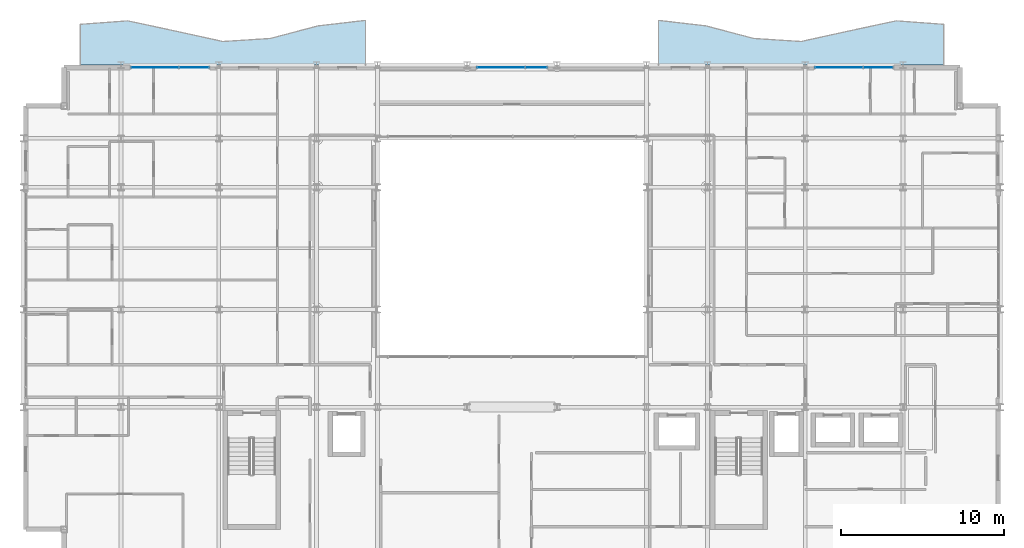
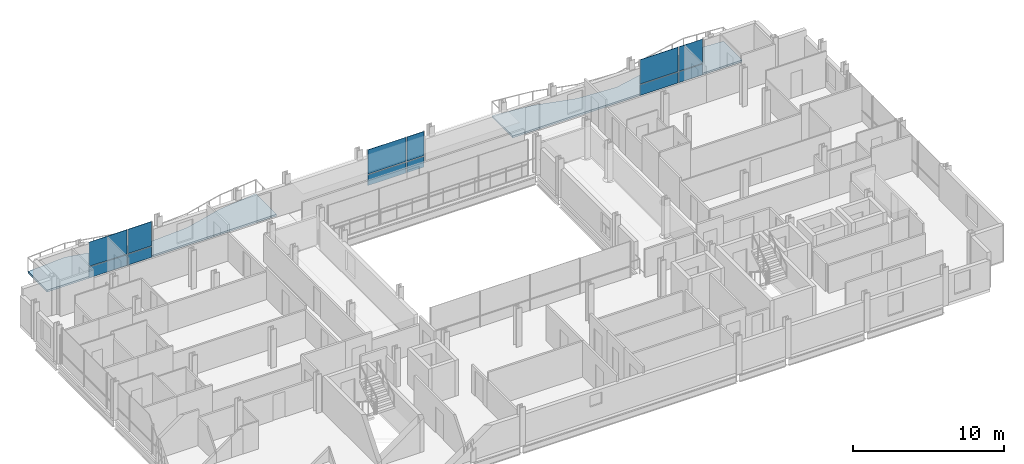
# One storey, part 31 of 41: 12 plates, 2 slabs, 3 elements without a shape of their own.
"""IFC4 building model written with IfcOpenShell, lengths in metres."""

from ifc_helpers import new_model, si_unit, direction, frame, origin, origin_2d, place, context, subcontext, project, spatial, polyline, rectangle, outline, extrude, material, layer, layer_set, type_object, element, aggregate, save


model = new_model("IFC4")

# Units and contexts
model_context = context("Model", 3, precision=1e-05, world=origin(), true_north=direction((0.0, 1.0)))
body_context = subcontext(model_context, "Body", "Model", "MODEL_VIEW")
ifc_project = project(units=[si_unit("LENGTHUNIT", "METRE"), si_unit("AREAUNIT", "SQUARE_METRE"), si_unit("VOLUMEUNIT", "CUBIC_METRE"), si_unit("PLANEANGLEUNIT", "RADIAN"), si_unit("MASSUNIT", "GRAM", prefix="KILO")], contexts=[model_context])

# Site, building, storey
site_placement = place(None, origin())
site = spatial("IfcSite", under=ifc_project, at=site_placement, CompositionType="ELEMENT")
building_placement = place(site_placement, origin())
building = spatial("IfcBuilding", under=site, at=building_placement, Name="Brevholm Reach", CompositionType="ELEMENT")
storey_placement = place(building_placement, frame((0.0, 0.0, 151.10009765625)))
storey = spatial("IfcBuildingStorey", under=building, at=storey_placement, Name="L45", CompositionType="ELEMENT", Elevation=151.10009765625)

# Curtain wall, plates
ifc_material_1 = material(Name="Dark Anodised Aluminium 6063-T6 and Solar-Control Glass", Category="aluminium")
ifc_layer_1 = layer(ifc_material_1, 0.14990234375)
ifc_layer_set_1 = layer_set([ifc_layer_1], Name="Dark Anodised Aluminium 6063-T6 and Solar-Control Glass")
curtain_wall_type = type_object("IfcCurtainWallType", Name="CW-01", PredefinedType="NOTDEFINED", material=ifc_layer_set_1)
curtain_wall_1_placement = place(storey_placement, origin())
curtain_wall_1 = element("IfcCurtainWall", 1, at=curtain_wall_1_placement, inside=storey, type_object=curtain_wall_type, Name="L45 Curtain Wall CW-01", PredefinedType="NOTDEFINED")
ifc_material_2 = material(Name="Dark Solar-Control Double-Glazed IGU Glass", Category="glass")
ifc_layer_2 = layer(ifc_material_2, 0.028076171875)
ifc_layer_set_2 = layer_set([ifc_layer_2], Name="Dark Solar-Control Double-Glazed IGU Glass")
plate_type = type_object("IfcPlateType", Name="CWP-GLZ-28", PredefinedType="CURTAIN_PANEL", material=ifc_layer_set_2)
plate_1_placement = place(storey_placement, frame((8.066162109375, 30.85009765625, 0.0), z_axis=(0.0, 0.0, 1.0), x_axis=(1.0, 0.0, 0.0)))
plate_1 = element("IfcPlate", 2, at=plate_1_placement, type_object=plate_type, Name="CP-01 Glazing Panel 1.1", PredefinedType="CURTAIN_PANEL", context=body_context, shape_type="SweptSolid", body=[
    extrude(rectangle(XDim=2.902587890625, YDim=0.028076171875, at=origin_2d()), origin(), (0.0, 0.0, 1.0), 0.867431640625),
])
plate_2_placement = place(storey_placement, frame((8.066162109375, 30.85009765625, 0.9326171875), z_axis=(0.0, 0.0, 1.0), x_axis=(1.0, 0.0, 0.0)))
plate_2 = element("IfcPlate", 3, at=plate_2_placement, type_object=plate_type, Name="CP-01 Glazing Panel 1.2", PredefinedType="CURTAIN_PANEL", context=body_context, shape_type="SweptSolid", body=[
    extrude(rectangle(XDim=2.902587890625, YDim=0.028076171875, at=origin_2d()), origin(), (0.0, 0.0, 1.0), 1.947509765625),
])
plate_3_placement = place(storey_placement, frame((10.483642578125, 30.85009765625, 0.0), z_axis=(0.0, 0.0, 1.0), x_axis=(1.0, 0.0, 0.0)))
plate_3 = element("IfcPlate", 4, at=plate_3_placement, type_object=plate_type, Name="CP-01 Glazing Panel 2.1", PredefinedType="CURTAIN_PANEL", context=body_context, shape_type="SweptSolid", body=[
    extrude(rectangle(XDim=1.802490234375, YDim=0.028076171875, at=origin_2d()), origin(), (0.0, 0.0, 1.0), 0.867431640625),
])
plate_4_placement = place(storey_placement, frame((10.483642578125, 30.85009765625, 0.9326171875), z_axis=(0.0, 0.0, 1.0), x_axis=(1.0, 0.0, 0.0)))
plate_4 = element("IfcPlate", 5, at=plate_4_placement, type_object=plate_type, Name="CP-01 Glazing Panel 2.2", PredefinedType="CURTAIN_PANEL", context=body_context, shape_type="SweptSolid", body=[
    extrude(rectangle(XDim=1.802490234375, YDim=0.028076171875, at=origin_2d()), origin(), (0.0, 0.0, 1.0), 1.947509765625),
])
aggregate(curtain_wall_1, [plate_1, plate_2, plate_3, plate_4])

curtain_wall_2_placement = place(storey_placement, origin())
curtain_wall_2 = element("IfcCurtainWall", 6, at=curtain_wall_2_placement, inside=storey, type_object=curtain_wall_type, Name="L45 Curtain Wall CW-01", PredefinedType="NOTDEFINED")
plate_5_placement = place(storey_placement, frame((29.316162109375, 30.85009765625, 0.0), z_axis=(0.0, 0.0, 1.0), x_axis=(1.0, 0.0, 0.0)))
plate_5 = element("IfcPlate", 7, at=plate_5_placement, type_object=plate_type, Name="CP-01 Glazing Panel 1.1", PredefinedType="CURTAIN_PANEL", context=body_context, shape_type="SweptSolid", body=[
    extrude(rectangle(XDim=2.902587890625, YDim=0.028076171875, at=origin_2d()), origin(), (0.0, 0.0, 1.0), 0.867431640625),
])
plate_6_placement = place(storey_placement, frame((29.316162109375, 30.85009765625, 0.9326171875), z_axis=(0.0, 0.0, 1.0), x_axis=(1.0, 0.0, 0.0)))
plate_6 = element("IfcPlate", 8, at=plate_6_placement, type_object=plate_type, Name="CP-01 Glazing Panel 1.2", PredefinedType="CURTAIN_PANEL", context=body_context, shape_type="SweptSolid", body=[
    extrude(rectangle(XDim=2.902587890625, YDim=0.028076171875, at=origin_2d()), origin(), (0.0, 0.0, 1.0), 1.947509765625),
])
plate_7_placement = place(storey_placement, frame((31.483642578125, 30.85009765625, 0.0), z_axis=(0.0, 0.0, 1.0), x_axis=(1.0, 0.0, 0.0)))
plate_7 = element("IfcPlate", 9, at=plate_7_placement, type_object=plate_type, Name="CP-01 Glazing Panel 2.1", PredefinedType="CURTAIN_PANEL", context=body_context, shape_type="SweptSolid", body=[
    extrude(rectangle(XDim=1.302490234375, YDim=0.028076171875, at=origin_2d()), origin(), (0.0, 0.0, 1.0), 0.867431640625),
])
plate_8_placement = place(storey_placement, frame((31.483642578125, 30.85009765625, 0.9326171875), z_axis=(0.0, 0.0, 1.0), x_axis=(1.0, 0.0, 0.0)))
plate_8 = element("IfcPlate", 10, at=plate_8_placement, type_object=plate_type, Name="CP-01 Glazing Panel 2.2", PredefinedType="CURTAIN_PANEL", context=body_context, shape_type="SweptSolid", body=[
    extrude(rectangle(XDim=1.302490234375, YDim=0.028076171875, at=origin_2d()), origin(), (0.0, 0.0, 1.0), 1.947509765625),
])
aggregate(curtain_wall_2, [plate_5, plate_6, plate_7, plate_8])

curtain_wall_3_placement = place(storey_placement, origin())
curtain_wall_3 = element("IfcCurtainWall", 11, at=curtain_wall_3_placement, inside=storey, type_object=curtain_wall_type, Name="L45 Curtain Wall CW-01", PredefinedType="NOTDEFINED")
plate_9_placement = place(storey_placement, frame((50.066162109375, 30.85009765625, 0.0), z_axis=(0.0, 0.0, 1.0), x_axis=(1.0, 0.0, 0.0)))
plate_9 = element("IfcPlate", 12, at=plate_9_placement, type_object=plate_type, Name="CP-01 Glazing Panel 1.1", PredefinedType="CURTAIN_PANEL", context=body_context, shape_type="SweptSolid", body=[
    extrude(rectangle(XDim=2.902587890625, YDim=0.028076171875, at=origin_2d()), origin(), (0.0, 0.0, 1.0), 0.867431640625),
])
plate_10_placement = place(storey_placement, frame((50.066162109375, 30.85009765625, 0.9326171875), z_axis=(0.0, 0.0, 1.0), x_axis=(1.0, 0.0, 0.0)))
plate_10 = element("IfcPlate", 13, at=plate_10_placement, type_object=plate_type, Name="CP-01 Glazing Panel 1.2", PredefinedType="CURTAIN_PANEL", context=body_context, shape_type="SweptSolid", body=[
    extrude(rectangle(XDim=2.902587890625, YDim=0.028076171875, at=origin_2d()), origin(), (0.0, 0.0, 1.0), 1.947509765625),
])
plate_11_placement = place(storey_placement, frame((52.483642578125, 30.85009765625, 0.0), z_axis=(0.0, 0.0, 1.0), x_axis=(1.0, 0.0, 0.0)))
plate_11 = element("IfcPlate", 14, at=plate_11_placement, type_object=plate_type, Name="CP-01 Glazing Panel 2.1", PredefinedType="CURTAIN_PANEL", context=body_context, shape_type="SweptSolid", body=[
    extrude(rectangle(XDim=1.802490234375, YDim=0.028076171875, at=origin_2d()), origin(), (0.0, 0.0, 1.0), 0.867431640625),
])
plate_12_placement = place(storey_placement, frame((52.483642578125, 30.85009765625, 0.9326171875), z_axis=(0.0, 0.0, 1.0), x_axis=(1.0, 0.0, 0.0)))
plate_12 = element("IfcPlate", 15, at=plate_12_placement, type_object=plate_type, Name="CP-01 Glazing Panel 2.2", PredefinedType="CURTAIN_PANEL", context=body_context, shape_type="SweptSolid", body=[
    extrude(rectangle(XDim=1.802490234375, YDim=0.028076171875, at=origin_2d()), origin(), (0.0, 0.0, 1.0), 1.947509765625),
])
aggregate(curtain_wall_3, [plate_9, plate_10, plate_11, plate_12])

# Slabs
ifc_material_3 = material(Name="Precast Concrete C45/55", Category="concrete")
ifc_layer_3 = layer(ifc_material_3, 0.14990234375)
ifc_layer_set_3 = layer_set([ifc_layer_3], Name="Precast Concrete C45/55")
slab_type = type_object("IfcSlabType", Name="SLB-BAL-150", PredefinedType="FLOOR", material=ifc_layer_set_3)
slab_1_placement = place(storey_placement, frame((0.0, 0.0, -0.150146484375)))
element("IfcSlab", 16, at=slab_1_placement, inside=storey, type_object=slab_type, Name="L45 Rippling External Balcony NE", PredefinedType="FLOOR", context=body_context, shape_type="SweptSolid", body=[
    extrude(outline(polyline([(39.0, 31.0), (56.5, 31.0), (56.5, 33.499755859375), (53.583251953125, 33.713134765625), (50.666748046875, 33.0869140625), (47.75, 32.44482421875), (44.833251953125, 32.632080078125), (41.916748046875, 33.402099609375), (39.0, 33.74169921875), (39.0, 31.0)])), origin(), (0.0, 0.0, 1.0), 0.150146484375),
])
slab_2_placement = place(storey_placement, frame((0.0, 0.0, -0.150146484375)))
element("IfcSlab", 17, at=slab_2_placement, inside=storey, type_object=slab_type, Name="L45 Rippling External Balcony NW", PredefinedType="FLOOR", context=body_context, shape_type="SweptSolid", body=[
    extrude(outline(polyline([(3.5, 31.0), (21.0, 31.0), (21.0, 33.74169921875), (18.083251953125, 33.402099609375), (15.166748046875, 32.632080078125), (12.25, 32.44482421875), (9.333251953125, 33.0869140625), (6.416748046875, 33.713134765625), (3.5, 33.499755859375), (3.5, 31.0)])), origin(), (0.0, 0.0, 1.0), 0.150146484375),
])

save(model, "model.ifc")
